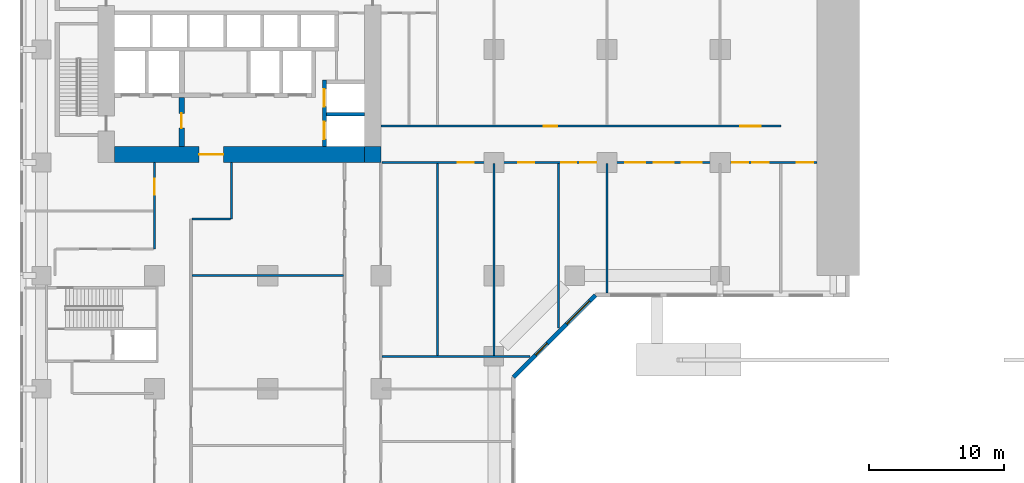
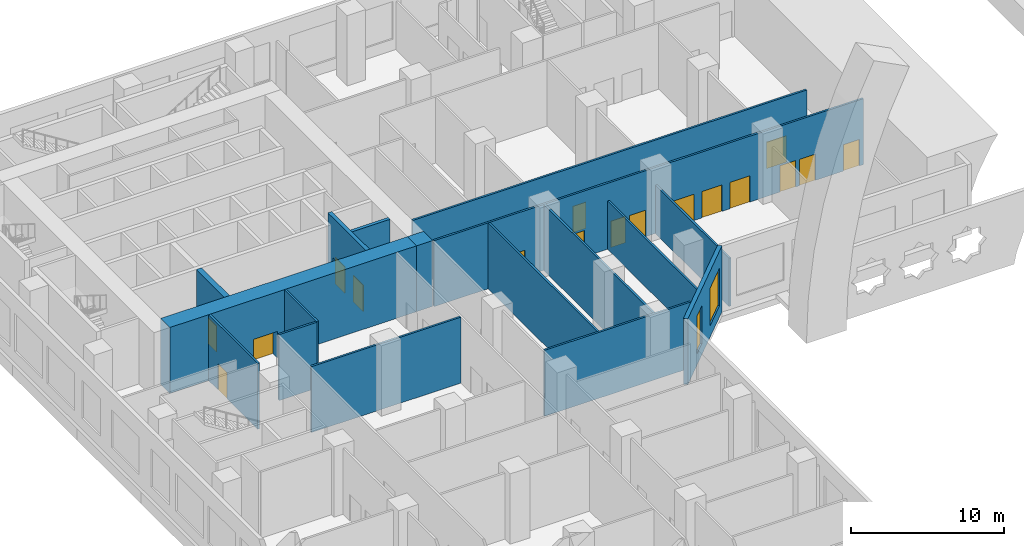
# One storey, part 7 of 19: 17 doors, 17 walls, 2 windows, 19 openings.
"""IFC4 building model written with IfcOpenShell, lengths in metres."""

from ifc_helpers import new_model, si_unit, direction, frame, frame_2d, origin, place, context, subcontext, project, spatial, rectangle, extrude, material, layer, layer_set, type_object, element, fill, save


model = new_model("IFC4")

# Units and contexts
model_context = context("Model", 3, precision=1e-05, world=origin(), true_north=direction((0.0, 1.0)))
body_context = subcontext(model_context, "Body", "Model", "MODEL_VIEW")
ifc_project = project(units=[si_unit("LENGTHUNIT", "METRE"), si_unit("AREAUNIT", "SQUARE_METRE"), si_unit("VOLUMEUNIT", "CUBIC_METRE"), si_unit("PLANEANGLEUNIT", "RADIAN"), si_unit("MASSUNIT", "GRAM", prefix="KILO")], contexts=[model_context])

# Site, building, storey
site_placement = place(None, origin())
site = spatial("IfcSite", under=ifc_project, at=site_placement, CompositionType="ELEMENT")
building_placement = place(site_placement, origin())
building = spatial("IfcBuilding", under=site, at=building_placement, Name="Kawkab Arch Medical Tower", CompositionType="ELEMENT")
storey_placement = place(building_placement, frame((0.0, 0.0, 12.60009765625)))
storey = spatial("IfcBuildingStorey", under=building, at=storey_placement, Name="L03", CompositionType="ELEMENT", Elevation=12.60009765625)

# Wall, opening, door
ifc_material_1 = material(Name="Concrete C60/75", Category="concrete")
ifc_layer_1 = layer(ifc_material_1, 1.199951171875)
ifc_layer_set_1 = layer_set([ifc_layer_1], Name="Concrete C60/75")
wall_type_1 = type_object("IfcWallType", Name="Core ring wall 1200 C60/75", PredefinedType="SHEAR", material=ifc_layer_set_1)
wall_1_placement = place(storey_placement, frame((5.39990234375, -24.60009765625, 0.0), z_axis=(0.0, 0.0, 1.0), x_axis=(1.0, 0.0, 0.0)))
wall_1 = element("IfcWall", 1, at=wall_1_placement, inside=storey, type_object=wall_type_1, Name="L03 core wall", PredefinedType="SHEAR", context=body_context, shape_type="SweptSolid", body=[
    extrude(rectangle(XDim=18.60009765625, YDim=1.199951171875, at=frame_2d((9.300048828125, 0.0))), origin(), (0.0, 0.0, 1.0), 5.25),
])
opening_1_placement = place(wall_1_placement, frame((6.300048828125, 0.0, 0.0)))
opening_1 = element("IfcOpeningElement", 2, at=opening_1_placement, cuts=wall_1, Name="Opening PD", PredefinedType="OPENING", context=body_context, shape_type="SweptSolid", body=[
    extrude(rectangle(XDim=1.800048828125, YDim=2.10009765625, at=frame_2d((0.89990234375, 1.050048828125))), frame((0.0, 0.60986328125, 0.0), z_axis=(0.0, -1.0, 0.0), x_axis=(1.0, 0.0, 0.0)), (0.0, 0.0, 1.0), 1.219970703125),
])
ifc_material_2 = material(Name="Hollow metal fire door leaf")
door_type_1 = type_object("IfcDoorType", Name="Core entrance doors 1800", OperationType="DOUBLE_DOOR_SINGLE_SWING", PredefinedType="DOOR", material=ifc_material_2)
door_1_placement = place(opening_1_placement, origin())
door_1 = element("IfcDoor", 3, at=door_1_placement, inside=storey, type_object=door_type_1, Name="L03 South entrance doors", OperationType="DOUBLE_DOOR_SINGLE_SWING", OverallHeight=2.10009765625, OverallWidth=1.800048828125, PredefinedType="DOOR", context=body_context, shape_type="SweptSolid", body=[
    extrude(rectangle(XDim=1.800048828125, YDim=2.10009765625, at=frame_2d((0.89990234375, 1.050048828125))), frame((0.0, 0.02490234375, 0.0), z_axis=(0.0, -1.0, 0.0), x_axis=(1.0, 0.0, 0.0)), (0.0, 0.0, 1.0), 0.050048828125),
])
fill(opening_1, door_1)

# Walls
wall_2_placement = place(storey_placement, frame((24.60009765625, -25.199951171875, 0.0), z_axis=(0.0, 0.0, 1.0), x_axis=(0.0, 1.0, 0.0)))
element("IfcWall", 4, at=wall_2_placement, inside=storey, type_object=wall_type_1, Name="L03 core wall", PredefinedType="SHEAR", context=body_context, shape_type="SweptSolid", body=[
    extrude(rectangle(XDim=1.199951171875, YDim=1.199951171875, at=frame_2d((0.60009765625, 0.0))), origin(), (0.0, 0.0, 1.0), 5.25),
])
ifc_material_3 = material(Name="Concrete C60/75", Category="concrete")
ifc_layer_2 = layer(ifc_material_3, 0.25)
ifc_layer_set_2 = layer_set([ifc_layer_2], Name="Concrete C60/75")
wall_type_2 = type_object("IfcWallType", Name="Core shear wall 250 C60/75", PredefinedType="SHEAR", material=ifc_layer_set_2)
wall_3_placement = place(storey_placement, frame((21.14990234375, -21.60009765625, 0.0), z_axis=(0.0, 0.0, 1.0), x_axis=(1.0, 0.0, 0.0)))
element("IfcWall", 5, at=wall_3_placement, inside=storey, type_object=wall_type_2, Name="L03 core shear wall", PredefinedType="SHEAR", context=body_context, shape_type="SweptSolid", body=[
    extrude(rectangle(XDim=2.85009765625, YDim=0.25, at=frame_2d((1.425048828125, 0.0))), origin(), (0.0, 0.0, 1.0), 5.25),
])

# Wall, openings, doors
ifc_material_4 = material(Name="Concrete C60/75", Category="concrete")
ifc_layer_3 = layer(ifc_material_4, 0.300048828125)
ifc_layer_set_3 = layer_set([ifc_layer_3], Name="Concrete C60/75")
wall_type_3 = type_object("IfcWallType", Name="Core shear wall 300 C60/75", PredefinedType="SHEAR", material=ifc_layer_set_3)
wall_4_placement = place(storey_placement, frame((21.0, -24.0, 0.0), z_axis=(0.0, 0.0, 1.0), x_axis=(0.0, 1.0, 0.0)))
wall_4 = element("IfcWall", 6, at=wall_4_placement, inside=storey, type_object=wall_type_3, Name="L03 core shear wall", PredefinedType="SHEAR", context=body_context, shape_type="SweptSolid", body=[
    extrude(rectangle(XDim=4.949951171875, YDim=0.300048828125, at=frame_2d((2.47509765625, 0.0))), origin(), (0.0, 0.0, 1.0), 5.25),
])
opening_2_placement = place(wall_4_placement, frame((2.949951171875, 0.0, 0.0)))
opening_2 = element("IfcOpeningElement", 7, at=opening_2_placement, cuts=wall_4, Name="Opening LD2", PredefinedType="OPENING", context=body_context, shape_type="SweptSolid", body=[
    extrude(rectangle(XDim=1.300048828125, YDim=2.10009765625, at=frame_2d((0.64990234375, 1.050048828125))), frame((0.0, 0.159912109375, 0.0), z_axis=(0.0, -1.0, 0.0), x_axis=(1.0, 0.0, 0.0)), (0.0, 0.0, 1.0), 0.320068359375),
])
opening_3_placement = place(wall_4_placement, frame((0.550048828125, 0.0, 0.0)))
opening_3 = element("IfcOpeningElement", 8, at=opening_3_placement, cuts=wall_4, Name="Opening LD2", PredefinedType="OPENING", context=body_context, shape_type="SweptSolid", body=[
    extrude(rectangle(XDim=1.300048828125, YDim=2.10009765625, at=frame_2d((0.64990234375, 1.050048828125))), frame((0.0, 0.159912109375, 0.0), z_axis=(0.0, -1.0, 0.0), x_axis=(1.0, 0.0, 0.0)), (0.0, 0.0, 1.0), 0.320068359375),
])
ifc_material_5 = material(Name="Stainless steel lift door leaf", Category="steel")
door_type_2 = type_object("IfcDoorType", Name="Lift landing door 1300", OperationType="DOUBLE_DOOR_SLIDING", PredefinedType="DOOR", material=ifc_material_5)
door_2_placement = place(opening_2_placement, origin())
door_2 = element("IfcDoor", 9, at=door_2_placement, inside=storey, type_object=door_type_2, Name="L03 Lift landing door BD1", OperationType="DOUBLE_DOOR_SLIDING", OverallHeight=2.10009765625, OverallWidth=1.300048828125, PredefinedType="DOOR", context=body_context, shape_type="SweptSolid", body=[
    extrude(rectangle(XDim=1.300048828125, YDim=2.10009765625, at=frame_2d((0.64990234375, 1.050048828125))), frame((0.0, 0.02490234375, 0.0), z_axis=(0.0, -1.0, 0.0), x_axis=(1.0, 0.0, 0.0)), (0.0, 0.0, 1.0), 0.050048828125),
])
fill(opening_2, door_2)
door_3_placement = place(opening_3_placement, origin())
door_3 = element("IfcDoor", 10, at=door_3_placement, inside=storey, type_object=door_type_2, Name="L03 Lift landing door BD2", OperationType="DOUBLE_DOOR_SLIDING", OverallHeight=2.10009765625, OverallWidth=1.300048828125, PredefinedType="DOOR", context=body_context, shape_type="SweptSolid", body=[
    extrude(rectangle(XDim=1.300048828125, YDim=2.10009765625, at=frame_2d((0.64990234375, 1.050048828125))), frame((0.0, 0.02490234375, 0.0), z_axis=(0.0, -1.0, 0.0), x_axis=(1.0, 0.0, 0.0)), (0.0, 0.0, 1.0), 0.050048828125),
])
fill(opening_3, door_3)

# Wall, opening, door
ifc_material_6 = material(Name="Concrete C60/75", Category="concrete")
ifc_layer_4 = layer(ifc_material_6, 0.39990234375)
ifc_layer_set_4 = layer_set([ifc_layer_4], Name="Concrete C60/75")
wall_type_4 = type_object("IfcWallType", Name="Core shear wall 400 C60/75", PredefinedType="SHEAR", material=ifc_layer_set_4)
wall_5_placement = place(storey_placement, frame((10.39990234375, -24.0, 0.0), z_axis=(0.0, 0.0, 1.0), x_axis=(0.0, 1.0, 0.0)))
wall_5 = element("IfcWall", 11, at=wall_5_placement, inside=storey, type_object=wall_type_4, Name="L03 core shear wall", PredefinedType="SHEAR", context=body_context, shape_type="SweptSolid", body=[
    extrude(rectangle(XDim=3.64990234375, YDim=0.39990234375, at=frame_2d((1.824951171875, 0.0))), origin(), (0.0, 0.0, 1.0), 5.25),
])
opening_4_placement = place(wall_5_placement, frame((1.35009765625, 0.0, 0.0)))
opening_4 = element("IfcOpeningElement", 12, at=opening_4_placement, cuts=wall_5, Name="Opening FD", PredefinedType="OPENING", context=body_context, shape_type="SweptSolid", body=[
    extrude(rectangle(XDim=1.10009765625, YDim=2.10009765625, at=frame_2d((0.550048828125, 1.050048828125))), frame((0.0, 0.2099609375, 0.0), z_axis=(0.0, -1.0, 0.0), x_axis=(1.0, 0.0, 0.0)), (0.0, 0.0, 1.0), 0.419921875),
])
ifc_material_7 = material(Name="Hollow metal fire door leaf")
door_type_3 = type_object("IfcDoorType", Name="Firefighting lobby door 1100", OperationType="SINGLE_SWING_LEFT", PredefinedType="DOOR", material=ifc_material_7)
door_4_placement = place(opening_4_placement, origin())
door_4 = element("IfcDoor", 13, at=door_4_placement, inside=storey, type_object=door_type_3, Name="L03 Firefighting lobby door", OperationType="SINGLE_SWING_LEFT", OverallHeight=2.10009765625, OverallWidth=1.10009765625, PredefinedType="DOOR", context=body_context, shape_type="SweptSolid", body=[
    extrude(rectangle(XDim=1.10009765625, YDim=2.10009765625, at=frame_2d((0.550048828125, 1.050048828125))), frame((0.0, 0.02490234375, 0.0), z_axis=(0.0, -1.0, 0.0), x_axis=(1.0, 0.0, 0.0)), (0.0, 0.0, 1.0), 0.050048828125),
])
fill(opening_4, door_4)

# Walls
ifc_material_8 = material(Name="Gypsum board partition on steel studs, mineral wool", Category="steel")
ifc_layer_5 = layer(ifc_material_8, 0.14990234375)
ifc_layer_set_5 = layer_set([ifc_layer_5], Name="Gypsum board partition on steel studs, mineral wool")
wall_type_5 = type_object("IfcWallType", Name="Partition 150", PredefinedType="PARTITIONING", material=ifc_layer_set_5)
wall_6_placement = place(storey_placement, frame((25.27490234375, -39.60009765625, 0.0), z_axis=(0.0, 0.0, 1.0), x_axis=(1.0, 0.0, 0.0)))
element("IfcWall", 14, at=wall_6_placement, inside=storey, type_object=wall_type_5, Name="Partition 150 w027", PredefinedType="PARTITIONING", context=body_context, shape_type="SweptSolid", body=[
    extrude(rectangle(XDim=11.01220703125, YDim=0.14990234375, at=frame_2d((5.506103515625, 0.0))), origin(), (0.0, 0.0, 1.0), 5.25),
])
wall_7_placement = place(storey_placement, frame((11.175048828125, -33.60009765625, 0.0), z_axis=(0.0, 0.0, 1.0), x_axis=(1.0, 0.0, 0.0)))
element("IfcWall", 15, at=wall_7_placement, inside=storey, type_object=wall_type_5, Name="Partition 150 w029", PredefinedType="PARTITIONING", context=body_context, shape_type="SweptSolid", body=[
    extrude(rectangle(XDim=11.25, YDim=0.14990234375, at=frame_2d((5.625, 0.0))), origin(), (0.0, 0.0, 1.0), 5.25),
])
wall_8_placement = place(storey_placement, frame((11.175048828125, -29.39990234375, 0.0), z_axis=(0.0, 0.0, 1.0), x_axis=(1.0, 0.0, 0.0)))
element("IfcWall", 16, at=wall_8_placement, inside=storey, type_object=wall_type_5, Name="Partition 150 w031", PredefinedType="PARTITIONING", context=body_context, shape_type="SweptSolid", body=[
    extrude(rectangle(XDim=2.849853515625, YDim=0.14990234375, at=frame_2d((1.4248046875, 0.0))), origin(), (0.0, 0.0, 1.0), 5.25),
])

# Wall, openings, doors
wall_9_placement = place(storey_placement, frame((25.27490234375, -25.199951171875, 0.0), z_axis=(0.0, 0.0, 1.0), x_axis=(1.0, 0.0, 0.0)))
wall_9 = element("IfcWall", 17, at=wall_9_placement, inside=storey, type_object=wall_type_5, Name="Partition 150 w033", PredefinedType="PARTITIONING", context=body_context, shape_type="SweptSolid", body=[
    extrude(rectangle(XDim=32.3251953125, YDim=0.14990234375, at=frame_2d((16.16259765625, 0.0))), origin(), (0.0, 0.0, 1.0), 5.25),
])
opening_5_placement = place(wall_9_placement, frame((5.625, 0.0, 0.0)))
opening_5 = element("IfcOpeningElement", 18, at=opening_5_placement, cuts=wall_9, Name="Opening P03-060", PredefinedType="OPENING", context=body_context, shape_type="SweptSolid", body=[
    extrude(rectangle(XDim=1.199951171875, YDim=2.10009765625, at=frame_2d((0.60009765625, 1.050048828125))), frame((0.0, 0.0849609375, 0.0), z_axis=(0.0, -1.0, 0.0), x_axis=(1.0, 0.0, 0.0)), (0.0, 0.0, 1.0), 0.169921875),
])
opening_6_placement = place(wall_9_placement, frame((10.125, 0.0, 0.0)))
opening_6 = element("IfcOpeningElement", 19, at=opening_6_placement, cuts=wall_9, Name="Opening P03-061", PredefinedType="OPENING", context=body_context, shape_type="SweptSolid", body=[
    extrude(rectangle(XDim=1.199951171875, YDim=2.10009765625, at=frame_2d((0.60009765625, 1.050048828125))), frame((0.0, 0.0849609375, 0.0), z_axis=(0.0, -1.0, 0.0), x_axis=(1.0, 0.0, 0.0)), (0.0, 0.0, 1.0), 0.169921875),
])
opening_7_placement = place(wall_9_placement, frame((14.72509765625, 0.0, 0.0)))
opening_7 = element("IfcOpeningElement", 20, at=opening_7_placement, cuts=wall_9, Name="Opening P03-062", PredefinedType="OPENING", context=body_context, shape_type="SweptSolid", body=[
    extrude(rectangle(XDim=1.199951171875, YDim=2.10009765625, at=frame_2d((0.60009765625, 1.050048828125))), frame((0.0, 0.0849609375, 0.0), z_axis=(0.0, -1.0, 0.0), x_axis=(1.0, 0.0, 0.0)), (0.0, 0.0, 1.0), 0.169921875),
])
opening_8_placement = place(wall_9_placement, frame((13.324951171875, 0.0, 0.0)))
opening_8 = element("IfcOpeningElement", 21, at=opening_8_placement, cuts=wall_9, Name="Opening P03-057", PredefinedType="OPENING", context=body_context, shape_type="SweptSolid", body=[
    extrude(rectangle(XDim=1.10009765625, YDim=2.10009765625, at=frame_2d((0.550048828125, 1.050048828125))), frame((0.0, 0.0849609375, 0.0), z_axis=(0.0, -1.0, 0.0), x_axis=(1.0, 0.0, 0.0)), (0.0, 0.0, 1.0), 0.169921875),
])
opening_9_placement = place(wall_9_placement, frame((22.27490234375, 0.0, 0.0)))
opening_9 = element("IfcOpeningElement", 22, at=opening_9_placement, cuts=wall_9, Name="Opening P03-020", PredefinedType="OPENING", context=body_context, shape_type="SweptSolid", body=[
    extrude(rectangle(XDim=1.5, YDim=2.10009765625, at=frame_2d((0.75, 1.050048828125))), frame((0.0, 0.0849609375, 0.0), z_axis=(0.0, -1.0, 0.0), x_axis=(1.0, 0.0, 0.0)), (0.0, 0.0, 1.0), 0.169921875),
])
opening_10_placement = place(wall_9_placement, frame((20.175048828125, 0.0, 0.0)))
opening_10 = element("IfcOpeningElement", 23, at=opening_10_placement, cuts=wall_9, Name="Opening P03-021", PredefinedType="OPENING", context=body_context, shape_type="SweptSolid", body=[
    extrude(rectangle(XDim=1.5, YDim=2.10009765625, at=frame_2d((0.75, 1.050048828125))), frame((0.0, 0.0849609375, 0.0), z_axis=(0.0, -1.0, 0.0), x_axis=(1.0, 0.0, 0.0)), (0.0, 0.0, 1.0), 0.169921875),
])
opening_11_placement = place(wall_9_placement, frame((18.074951171875, 0.0, 0.0)))
opening_11 = element("IfcOpeningElement", 24, at=opening_11_placement, cuts=wall_9, Name="Opening P03-022", PredefinedType="OPENING", context=body_context, shape_type="SweptSolid", body=[
    extrude(rectangle(XDim=1.5, YDim=2.10009765625, at=frame_2d((0.75, 1.050048828125))), frame((0.0, 0.0849609375, 0.0), z_axis=(0.0, -1.0, 0.0), x_axis=(1.0, 0.0, 0.0)), (0.0, 0.0, 1.0), 0.169921875),
])
opening_12_placement = place(wall_9_placement, frame((27.52490234375, 0.0, 0.0)))
opening_12 = element("IfcOpeningElement", 25, at=opening_12_placement, cuts=wall_9, Name="Opening P03-063", PredefinedType="OPENING", context=body_context, shape_type="SweptSolid", body=[
    extrude(rectangle(XDim=1.199951171875, YDim=2.10009765625, at=frame_2d((0.60009765625, 1.050048828125))), frame((0.0, 0.0849609375, 0.0), z_axis=(0.0, -1.0, 0.0), x_axis=(1.0, 0.0, 0.0)), (0.0, 0.0, 1.0), 0.169921875),
])
opening_13_placement = place(wall_9_placement, frame((26.02490234375, 0.0, 0.0)))
opening_13 = element("IfcOpeningElement", 26, at=opening_13_placement, cuts=wall_9, Name="Opening P03-064", PredefinedType="OPENING", context=body_context, shape_type="SweptSolid", body=[
    extrude(rectangle(XDim=1.199951171875, YDim=2.10009765625, at=frame_2d((0.60009765625, 1.050048828125))), frame((0.0, 0.0849609375, 0.0), z_axis=(0.0, -1.0, 0.0), x_axis=(1.0, 0.0, 0.0)), (0.0, 0.0, 1.0), 0.169921875),
])
opening_14_placement = place(wall_9_placement, frame((30.824951171875, 0.0, 0.0)))
opening_14 = element("IfcOpeningElement", 27, at=opening_14_placement, cuts=wall_9, Name="Opening P03-065", PredefinedType="OPENING", context=body_context, shape_type="SweptSolid", body=[
    extrude(rectangle(XDim=1.199951171875, YDim=2.10009765625, at=frame_2d((0.60009765625, 1.050048828125))), frame((0.0, 0.0849609375, 0.0), z_axis=(0.0, -1.0, 0.0), x_axis=(1.0, 0.0, 0.0)), (0.0, 0.0, 1.0), 0.169921875),
])
ifc_material_9 = material(Name="Hollow metal door leaf")
door_type_4 = type_object("IfcDoorType", Name="Double door 1500x2100 FD30S", OperationType="NOTDEFINED", PredefinedType="DOOR", material=ifc_material_9)
door_5_placement = place(opening_9_placement, origin())
door_5 = element("IfcDoor", 28, at=door_5_placement, inside=storey, type_object=door_type_4, Name="Door P03-020", OperationType="DOUBLE_DOOR_SINGLE_SWING", OverallHeight=2.10009765625, OverallWidth=1.5, PredefinedType="DOOR", context=body_context, shape_type="SweptSolid", body=[
    extrude(rectangle(XDim=1.5, YDim=2.10009765625, at=frame_2d((0.75, 1.050048828125))), frame((0.0, 0.02490234375, 0.0), z_axis=(0.0, -1.0, 0.0), x_axis=(1.0, 0.0, 0.0)), (0.0, 0.0, 1.0), 0.050048828125),
])
fill(opening_9, door_5)
door_6_placement = place(opening_10_placement, origin())
door_6 = element("IfcDoor", 29, at=door_6_placement, inside=storey, type_object=door_type_4, Name="Door P03-021", OperationType="DOUBLE_DOOR_SINGLE_SWING", OverallHeight=2.10009765625, OverallWidth=1.5, PredefinedType="DOOR", context=body_context, shape_type="SweptSolid", body=[
    extrude(rectangle(XDim=1.5, YDim=2.10009765625, at=frame_2d((0.75, 1.050048828125))), frame((0.0, 0.02490234375, 0.0), z_axis=(0.0, -1.0, 0.0), x_axis=(1.0, 0.0, 0.0)), (0.0, 0.0, 1.0), 0.050048828125),
])
fill(opening_10, door_6)
door_7_placement = place(opening_11_placement, origin())
door_7 = element("IfcDoor", 30, at=door_7_placement, inside=storey, type_object=door_type_4, Name="Door P03-022", OperationType="DOUBLE_DOOR_SINGLE_SWING", OverallHeight=2.10009765625, OverallWidth=1.5, PredefinedType="DOOR", context=body_context, shape_type="SweptSolid", body=[
    extrude(rectangle(XDim=1.5, YDim=2.10009765625, at=frame_2d((0.75, 1.050048828125))), frame((0.0, 0.02490234375, 0.0), z_axis=(0.0, -1.0, 0.0), x_axis=(1.0, 0.0, 0.0)), (0.0, 0.0, 1.0), 0.050048828125),
])
fill(opening_11, door_7)
ifc_material_10 = material(Name="Hollow metal door leaf")
door_type_5 = type_object("IfcDoorType", Name="Single door 1100x2100 FD30S", OperationType="NOTDEFINED", PredefinedType="DOOR", material=ifc_material_10)
door_8_placement = place(opening_8_placement, origin())
door_8 = element("IfcDoor", 31, at=door_8_placement, inside=storey, type_object=door_type_5, Name="Door P03-057", OperationType="SINGLE_SWING_RIGHT", OverallHeight=2.10009765625, OverallWidth=1.10009765625, PredefinedType="DOOR", context=body_context, shape_type="SweptSolid", body=[
    extrude(rectangle(XDim=1.10009765625, YDim=2.10009765625, at=frame_2d((0.550048828125, 1.050048828125))), frame((0.0, 0.02490234375, 0.0), z_axis=(0.0, -1.0, 0.0), x_axis=(1.0, 0.0, 0.0)), (0.0, 0.0, 1.0), 0.050048828125),
])
fill(opening_8, door_8)
ifc_material_11 = material(Name="Hollow metal door leaf")
door_type_6 = type_object("IfcDoorType", Name="Single door 1200x2100 FD30S", OperationType="NOTDEFINED", PredefinedType="DOOR", material=ifc_material_11)
door_9_placement = place(opening_5_placement, origin())
door_9 = element("IfcDoor", 32, at=door_9_placement, inside=storey, type_object=door_type_6, Name="Door P03-060", OperationType="SINGLE_SWING_RIGHT", OverallHeight=2.10009765625, OverallWidth=1.199951171875, PredefinedType="DOOR", context=body_context, shape_type="SweptSolid", body=[
    extrude(rectangle(XDim=1.199951171875, YDim=2.10009765625, at=frame_2d((0.60009765625, 1.050048828125))), frame((0.0, 0.02490234375, 0.0), z_axis=(0.0, -1.0, 0.0), x_axis=(1.0, 0.0, 0.0)), (0.0, 0.0, 1.0), 0.050048828125),
])
fill(opening_5, door_9)
door_10_placement = place(opening_6_placement, origin())
door_10 = element("IfcDoor", 33, at=door_10_placement, inside=storey, type_object=door_type_6, Name="Door P03-061", OperationType="SINGLE_SWING_RIGHT", OverallHeight=2.10009765625, OverallWidth=1.199951171875, PredefinedType="DOOR", context=body_context, shape_type="SweptSolid", body=[
    extrude(rectangle(XDim=1.199951171875, YDim=2.10009765625, at=frame_2d((0.60009765625, 1.050048828125))), frame((0.0, 0.02490234375, 0.0), z_axis=(0.0, -1.0, 0.0), x_axis=(1.0, 0.0, 0.0)), (0.0, 0.0, 1.0), 0.050048828125),
])
fill(opening_6, door_10)
door_11_placement = place(opening_7_placement, origin())
door_11 = element("IfcDoor", 34, at=door_11_placement, inside=storey, type_object=door_type_6, Name="Door P03-062", OperationType="SINGLE_SWING_RIGHT", OverallHeight=2.10009765625, OverallWidth=1.199951171875, PredefinedType="DOOR", context=body_context, shape_type="SweptSolid", body=[
    extrude(rectangle(XDim=1.199951171875, YDim=2.10009765625, at=frame_2d((0.60009765625, 1.050048828125))), frame((0.0, 0.02490234375, 0.0), z_axis=(0.0, -1.0, 0.0), x_axis=(1.0, 0.0, 0.0)), (0.0, 0.0, 1.0), 0.050048828125),
])
fill(opening_7, door_11)
door_12_placement = place(opening_12_placement, origin())
door_12 = element("IfcDoor", 35, at=door_12_placement, inside=storey, type_object=door_type_6, Name="Door P03-063", OperationType="SINGLE_SWING_LEFT", OverallHeight=2.10009765625, OverallWidth=1.199951171875, PredefinedType="DOOR", context=body_context, shape_type="SweptSolid", body=[
    extrude(rectangle(XDim=1.199951171875, YDim=2.10009765625, at=frame_2d((0.60009765625, 1.050048828125))), frame((0.0, 0.02490234375, 0.0), z_axis=(0.0, -1.0, 0.0), x_axis=(1.0, 0.0, 0.0)), (0.0, 0.0, 1.0), 0.050048828125),
])
fill(opening_12, door_12)
door_13_placement = place(opening_13_placement, origin())
door_13 = element("IfcDoor", 36, at=door_13_placement, inside=storey, type_object=door_type_6, Name="Door P03-064", OperationType="SINGLE_SWING_LEFT", OverallHeight=2.10009765625, OverallWidth=1.199951171875, PredefinedType="DOOR", context=body_context, shape_type="SweptSolid", body=[
    extrude(rectangle(XDim=1.199951171875, YDim=2.10009765625, at=frame_2d((0.60009765625, 1.050048828125))), frame((0.0, 0.02490234375, 0.0), z_axis=(0.0, -1.0, 0.0), x_axis=(1.0, 0.0, 0.0)), (0.0, 0.0, 1.0), 0.050048828125),
])
fill(opening_13, door_13)
door_14_placement = place(opening_14_placement, origin())
door_14 = element("IfcDoor", 37, at=door_14_placement, inside=storey, type_object=door_type_6, Name="Door P03-065", OperationType="SINGLE_SWING_LEFT", OverallHeight=2.10009765625, OverallWidth=1.199951171875, PredefinedType="DOOR", context=body_context, shape_type="SweptSolid", body=[
    extrude(rectangle(XDim=1.199951171875, YDim=2.10009765625, at=frame_2d((0.60009765625, 1.050048828125))), frame((0.0, 0.02490234375, 0.0), z_axis=(0.0, -1.0, 0.0), x_axis=(1.0, 0.0, 0.0)), (0.0, 0.0, 1.0), 0.050048828125),
])
fill(opening_14, door_14)

wall_10_placement = place(storey_placement, frame((25.199951171875, -22.5, 0.0), z_axis=(0.0, 0.0, 1.0), x_axis=(1.0, 0.0, 0.0)))
wall_10 = element("IfcWall", 38, at=wall_10_placement, inside=storey, type_object=wall_type_5, Name="Partition 150 w035", PredefinedType="PARTITIONING", context=body_context, shape_type="SweptSolid", body=[
    extrude(rectangle(XDim=29.699951171875, YDim=0.14990234375, at=frame_2d((14.85009765625, 0.0))), origin(), (0.0, 0.0, 1.0), 5.25),
])
opening_15_placement = place(wall_10_placement, frame((12.10009765625, 0.0, 0.0)))
opening_15 = element("IfcOpeningElement", 39, at=opening_15_placement, cuts=wall_10, Name="Opening P03-051", PredefinedType="OPENING", context=body_context, shape_type="SweptSolid", body=[
    extrude(rectangle(XDim=1.0, YDim=2.10009765625, at=frame_2d((0.5, 1.050048828125))), frame((0.0, 0.0849609375, 0.0), z_axis=(0.0, -1.0, 0.0), x_axis=(1.0, 0.0, 0.0)), (0.0, 0.0, 1.0), 0.169921875),
])
opening_16_placement = place(wall_10_placement, frame((26.699951171875, 0.0, 0.0)))
opening_16 = element("IfcOpeningElement", 40, at=opening_16_placement, cuts=wall_10, Name="Opening P03-016", PredefinedType="OPENING", context=body_context, shape_type="SweptSolid", body=[
    extrude(rectangle(XDim=1.5, YDim=2.10009765625, at=frame_2d((0.75, 1.050048828125))), frame((0.0, 0.0849609375, 0.0), z_axis=(0.0, -1.0, 0.0), x_axis=(1.0, 0.0, 0.0)), (0.0, 0.0, 1.0), 0.169921875),
])
door_15_placement = place(opening_16_placement, origin())
door_15 = element("IfcDoor", 41, at=door_15_placement, inside=storey, type_object=door_type_4, Name="Door P03-016", OperationType="DOUBLE_DOOR_SINGLE_SWING", OverallHeight=2.10009765625, OverallWidth=1.5, PredefinedType="DOOR", context=body_context, shape_type="SweptSolid", body=[
    extrude(rectangle(XDim=1.5, YDim=2.10009765625, at=frame_2d((0.75, 1.050048828125))), frame((0.0, 0.02490234375, 0.0), z_axis=(0.0, -1.0, 0.0), x_axis=(1.0, 0.0, 0.0)), (0.0, 0.0, 1.0), 0.050048828125),
])
fill(opening_16, door_15)
ifc_material_12 = material(Name="Hollow metal door leaf")
door_type_7 = type_object("IfcDoorType", Name="Single door 1000x2100 FD30S", OperationType="NOTDEFINED", PredefinedType="DOOR", material=ifc_material_12)
door_16_placement = place(opening_15_placement, origin())
door_16 = element("IfcDoor", 42, at=door_16_placement, inside=storey, type_object=door_type_7, Name="Door P03-051", OperationType="SINGLE_SWING_LEFT", OverallHeight=2.10009765625, OverallWidth=1.0, PredefinedType="DOOR", context=body_context, shape_type="SweptSolid", body=[
    extrude(rectangle(XDim=1.0, YDim=2.10009765625, at=frame_2d((0.5, 1.050048828125))), frame((0.0, 0.02490234375, 0.0), z_axis=(0.0, -1.0, 0.0), x_axis=(1.0, 0.0, 0.0)), (0.0, 0.0, 1.0), 0.050048828125),
])
fill(opening_15, door_16)

# Wall, opening, door
wall_11_placement = place(storey_placement, frame((8.39990234375, -31.60693359375, 0.0), z_axis=(0.0, 0.0, 1.0), x_axis=(0.0, 1.0, 0.0)))
wall_11 = element("IfcWall", 43, at=wall_11_placement, inside=storey, type_object=wall_type_5, Name="Partition 150 w051", PredefinedType="PARTITIONING", context=body_context, shape_type="SweptSolid", body=[
    extrude(rectangle(XDim=6.406982421875, YDim=0.14990234375, at=frame_2d((3.20361328125, 0.0))), origin(), (0.0, 0.0, 1.0), 5.25),
])
opening_17_placement = place(wall_11_placement, frame((4.007080078125, 0.0, 0.0)))
opening_17 = element("IfcOpeningElement", 44, at=opening_17_placement, cuts=wall_11, Name="Opening P03-069", PredefinedType="OPENING", context=body_context, shape_type="SweptSolid", body=[
    extrude(rectangle(XDim=1.199951171875, YDim=2.10009765625, at=frame_2d((0.60009765625, 1.050048828125))), frame((0.0, 0.0849609375, 0.0), z_axis=(0.0, -1.0, 0.0), x_axis=(1.0, 0.0, 0.0)), (0.0, 0.0, 1.0), 0.169921875),
])
door_17_placement = place(opening_17_placement, origin())
door_17 = element("IfcDoor", 45, at=door_17_placement, inside=storey, type_object=door_type_6, Name="Door P03-069", OperationType="SINGLE_SWING_RIGHT", OverallHeight=2.10009765625, OverallWidth=1.199951171875, PredefinedType="DOOR", context=body_context, shape_type="SweptSolid", body=[
    extrude(rectangle(XDim=1.199951171875, YDim=2.10009765625, at=frame_2d((0.60009765625, 1.050048828125))), frame((0.0, 0.02490234375, 0.0), z_axis=(0.0, -1.0, 0.0), x_axis=(1.0, 0.0, 0.0)), (0.0, 0.0, 1.0), 0.050048828125),
])
fill(opening_17, door_17)

# Walls
wall_12_placement = place(storey_placement, frame((14.10009765625, -29.39990234375, 0.0), z_axis=(0.0, 0.0, 1.0), x_axis=(0.0, 1.0, 0.0)))
element("IfcWall", 46, at=wall_12_placement, inside=storey, type_object=wall_type_5, Name="Partition 150 w054", PredefinedType="PARTITIONING", context=body_context, shape_type="SweptSolid", body=[
    extrude(rectangle(XDim=4.199951171875, YDim=0.14990234375, at=frame_2d((2.10009765625, 0.0))), origin(), (0.0, 0.0, 1.0), 5.25),
])
for number, where, z_axis, x_axis, name in (
    (47, (29.39990234375, -39.52490234375, 0.0), (0.0, 0.0, 1.0), (0.0, 1.0, 0.0), "Partition 150 w061"),
    (48, (33.60009765625, -39.52490234375, 0.0), (0.0, 0.0, 1.0), (0.0, 1.0, 0.0), "Partition 150 w063"),
):
    element("IfcWall", number, at=place(storey_placement, frame(where, z_axis=z_axis, x_axis=x_axis)), inside=storey, type_object=wall_type_5, Name=name, PredefinedType="PARTITIONING", context=body_context, shape_type="SweptSolid", body=[
        extrude(rectangle(XDim=14.25, YDim=0.14990234375, at=frame_2d((7.125, 0.0))), origin(), (0.0, 0.0, 1.0), 5.25),
    ])
wall_13_placement = place(storey_placement, frame((38.39990234375, -37.487060546875, 0.0), z_axis=(0.0, 0.0, 1.0), x_axis=(0.0, 1.0, 0.0)))
element("IfcWall", 49, at=wall_13_placement, inside=storey, type_object=wall_type_5, Name="Partition 150 w066", PredefinedType="PARTITIONING", context=body_context, shape_type="SweptSolid", body=[
    extrude(rectangle(XDim=12.212158203125, YDim=0.14990234375, at=frame_2d((6.10595703125, 0.0))), origin(), (0.0, 0.0, 1.0), 3.849853515625),
])
wall_14_placement = place(storey_placement, frame((42.0, -34.8798828125, 0.0), z_axis=(0.0, 0.0, 1.0), x_axis=(0.0, 1.0, 0.0)))
element("IfcWall", 50, at=wall_14_placement, inside=storey, type_object=wall_type_5, Name="Partition 150 w068", PredefinedType="PARTITIONING", context=body_context, shape_type="SweptSolid", body=[
    extrude(rectangle(XDim=9.60498046875, YDim=0.14990234375, at=frame_2d((4.802490234375, 0.0))), origin(), (0.0, 0.0, 1.0), 3.849853515625),
])

# Wall, openings, windows
ifc_material_13 = material(Name="Bronze clad insulated wall panel")
ifc_layer_6 = layer(ifc_material_13, 0.300048828125)
ifc_layer_set_6 = layer_set([ifc_layer_6], Name="Bronze clad insulated wall panel")
wall_type_6 = type_object("IfcWallType", Name="Podium external wall 300", PredefinedType="SOLIDWALL", material=ifc_layer_set_6)
wall_15_placement = place(storey_placement, frame((35.050048828125, -41.137939453125, 0.0), z_axis=(0.0, 0.0, 1.0), x_axis=(0.707106781187, 0.707106781187, 0.0)))
wall_15 = element("IfcWall", 51, at=wall_15_placement, inside=storey, type_object=wall_type_6, Name="Podium external wall L03 R02", PredefinedType="SOLIDWALL", context=body_context, shape_type="SweptSolid", body=[
    extrude(rectangle(XDim=8.609619140625, YDim=0.300048828125, at=frame_2d((4.3046875, 0.0))), origin(), (0.0, 0.0, 1.0), 5.25),
])
opening_18_placement = place(wall_15_placement, frame((2.33984375, 0.0, 0.89990234375)))
opening_18 = element("IfcOpeningElement", 52, at=opening_18_placement, cuts=wall_15, Name="Opening PBW120-30-S9", PredefinedType="OPENING", context=body_context, shape_type="SweptSolid", body=[
    extrude(rectangle(XDim=1.199951171875, YDim=3.0, at=frame_2d((0.60009765625, 1.5))), frame((0.0, 0.159912109375, 0.0), z_axis=(0.0, -1.0, 0.0), x_axis=(1.0, 0.0, 0.0)), (0.0, 0.0, 1.0), 0.320068359375),
])
opening_19_placement = place(wall_15_placement, frame((5.5927734375, 0.0, 0.89990234375)))
opening_19 = element("IfcOpeningElement", 53, at=opening_19_placement, cuts=wall_15, Name="Opening PBW240-30-S9", PredefinedType="OPENING", context=body_context, shape_type="SweptSolid", body=[
    extrude(rectangle(XDim=2.39990234375, YDim=3.0, at=frame_2d((1.199951171875, 1.5))), frame((0.0, 0.159912109375, 0.0), z_axis=(0.0, -1.0, 0.0), x_axis=(1.0, 0.0, 0.0)), (0.0, 0.0, 1.0), 0.320068359375),
])
ifc_material_14 = material(Name="Bronze anodised aluminium louvred window", Category="aluminium")
window_type_1 = type_object("IfcWindowType", Name="Podium band window 1200 x 3000 sill 900", PartitioningType="DOUBLE_PANEL_VERTICAL", PredefinedType="WINDOW", material=ifc_material_14)
window_1_placement = place(opening_18_placement, origin())
window_1 = element("IfcWindow", 54, at=window_1_placement, inside=storey, type_object=window_type_1, Name="Band window L03 R02.1", OverallHeight=3.0, OverallWidth=1.199951171875, PartitioningType="SINGLE_PANEL", PredefinedType="WINDOW", context=body_context, shape_type="SweptSolid", body=[
    extrude(rectangle(XDim=1.199951171875, YDim=3.0, at=frame_2d((0.60009765625, 1.5))), frame((0.0, 0.030029296875, 0.0), z_axis=(0.0, -1.0, 0.0), x_axis=(1.0, 0.0, 0.0)), (0.0, 0.0, 1.0), 0.06005859375),
])
fill(opening_18, window_1)
ifc_material_15 = material(Name="Bronze anodised aluminium louvred window", Category="aluminium")
window_type_2 = type_object("IfcWindowType", Name="Podium band window 2400 x 3000 sill 900", PartitioningType="DOUBLE_PANEL_VERTICAL", PredefinedType="WINDOW", material=ifc_material_15)
window_2_placement = place(opening_19_placement, origin())
window_2 = element("IfcWindow", 55, at=window_2_placement, inside=storey, type_object=window_type_2, Name="Band window L03 R02.2", OverallHeight=3.0, OverallWidth=2.39990234375, PartitioningType="SINGLE_PANEL", PredefinedType="WINDOW", context=body_context, shape_type="SweptSolid", body=[
    extrude(rectangle(XDim=2.39990234375, YDim=3.0, at=frame_2d((1.199951171875, 1.5))), frame((0.0, 0.030029296875, 0.0), z_axis=(0.0, -1.0, 0.0), x_axis=(1.0, 0.0, 0.0)), (0.0, 0.0, 1.0), 0.06005859375),
])
fill(opening_19, window_2)

save(model, "model.ifc")
